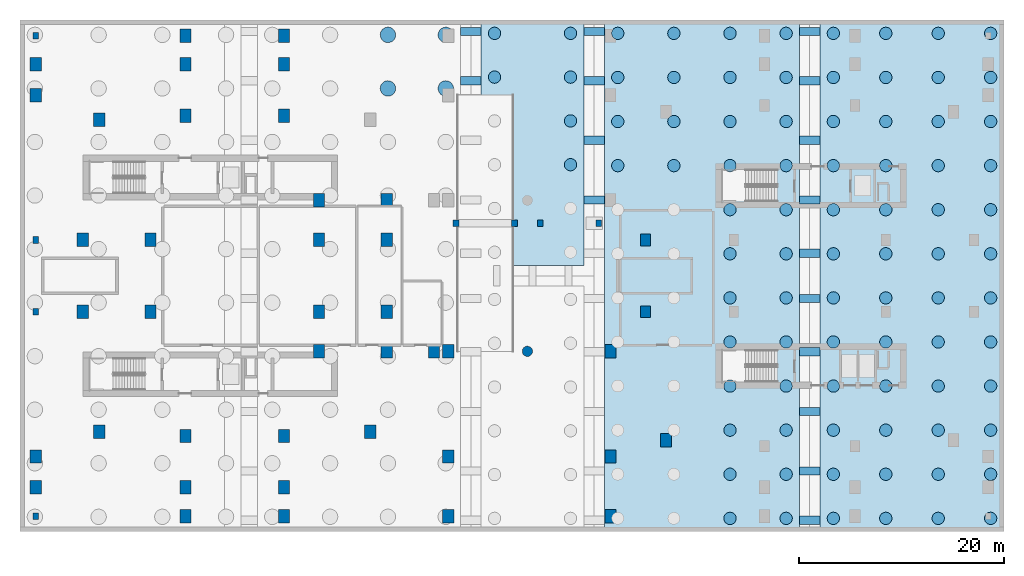
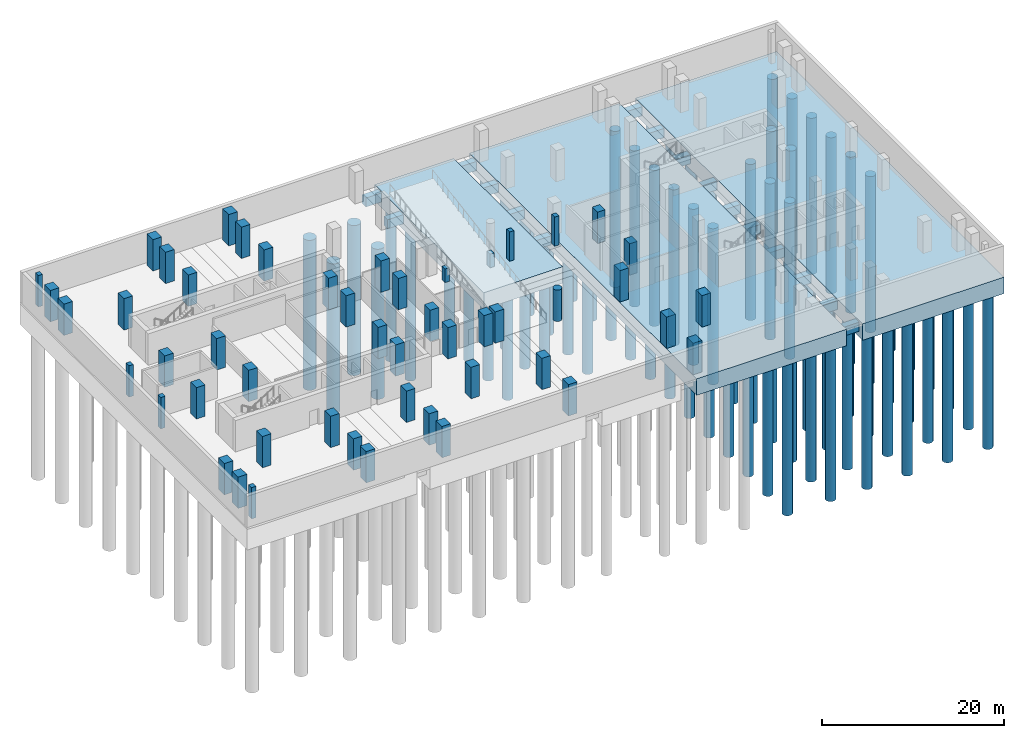
# One storey, part 2 of 14: 90 piles, 50 columns, 19 footings.
"""IFC4 building model written with IfcOpenShell, lengths in metres."""

import ifcopenshell
import ifcopenshell.guid

model = None  # the IFC model being written
_history = None  # IfcOwnerHistory: only IFC2X3 demands one
_inside = {}  # id of a spatial element -> (the spatial element, [elements in it])
_under = {}  # id of a project, library or spatial element -> (it, [spatial elements below it])
_declared = {}  # id of a project -> (the project, [libraries it declares])
_typed = {}  # id of a type object -> (the type object, [elements of that type])
_made_of = {}  # id of a material, layer set ... -> (it, [elements and type objects made of it])


def new_model(schema):
    """Start an empty IFC model of exactly this schema.

    Asked for "IFC4X3", IfcOpenShell would pick the latest addendum, in which some entities
    have other attributes; the version numbers below select the first issue.
    IFC2X3 requires an IfcOwnerHistory on every rooted entity: one is made here for all.
    """
    global model, _history
    if schema == "IFC4X3":
        model = ifcopenshell.file(schema_version=(4, 3, 0, 0))
    else:
        model = ifcopenshell.file(schema=schema)
    _inside.clear()
    _under.clear()
    _declared.clear()
    _typed.clear()
    _made_of.clear()
    _history = None
    if model.schema == "IFC2X3":
        org = make("IfcOrganization", Name="unknown")
        user = make(
            "IfcPersonAndOrganization",
            ThePerson=make("IfcPerson", FamilyName="unknown"),
            TheOrganization=org,
        )
        app = make(
            "IfcApplication",
            ApplicationDeveloper=org,
            Version="unknown",
            ApplicationFullName="unknown",
            ApplicationIdentifier="unknown",
        )
        _history = make(
            "IfcOwnerHistory",
            OwningUser=user,
            OwningApplication=app,
            ChangeAction="ADDED",
            CreationDate=0,
        )
    return model


def make(cls, **values):
    """One entity of the class cls with the attributes given. An attribute that is None is left unset."""
    return model.create_entity(
        cls, **{name: value for name, value in values.items() if value is not None}
    )


def rooted(cls, **values):
    """An entity with a GlobalId (a new one), such as an element, a storey or a relation."""
    return make(cls, GlobalId=ifcopenshell.guid.new(), OwnerHistory=_history, **values)


def si_unit(unit_type, name, prefix=None):
    """IfcSIUnit, for example si_unit("LENGTHUNIT", "METRE", prefix="MILLI")."""
    return make("IfcSIUnit", UnitType=unit_type, Prefix=prefix, Name=name)


def derived_unit(unit_type, elements):
    """IfcDerivedUnit: a product of units, each with its exponent."""
    return make(
        "IfcDerivedUnit",
        Elements=[
            make("IfcDerivedUnitElement", Unit=unit, Exponent=power)
            for unit, power in elements
        ],
        UnitType=unit_type,
    )


def assignment(units):
    """IfcUnitAssignment: the units of a project."""
    return None if units is None else make("IfcUnitAssignment", Units=units)


def point(xyz):
    """IfcCartesianPoint."""
    return None if xyz is None else make("IfcCartesianPoint", Coordinates=xyz)


def direction(xyz):
    """IfcDirection."""
    return None if xyz is None else make("IfcDirection", DirectionRatios=xyz)


def frame(location, z_axis=None, x_axis=None):
    """IfcAxis2Placement3D, a coordinate frame: its origin and axes. An axis left out is left unset."""
    return make(
        "IfcAxis2Placement3D",
        Location=point(location),
        Axis=direction(z_axis),
        RefDirection=direction(x_axis),
    )


def frame_2d(location, x_axis=None):
    """IfcAxis2Placement2D, a coordinate frame in the plane: its origin and x axis."""
    return make(
        "IfcAxis2Placement2D", Location=point(location), RefDirection=direction(x_axis)
    )


def origin():
    """The frame at (0, 0, 0) with its axes left unset."""
    return frame((0.0, 0.0, 0.0))


def origin_2d():
    """The frame at (0, 0) in the plane with its x axis left unset."""
    return frame_2d((0.0, 0.0))


def place(relative_to, where):
    """IfcLocalPlacement: puts the frame where relative to a parent placement (None: the world)."""
    return make(
        "IfcLocalPlacement", PlacementRelTo=relative_to, RelativePlacement=where
    )


def context(
    kind, dimensions, precision=None, world=None, true_north=None, identifier=None
):
    """IfcGeometricRepresentationContext, for example the 3D "Model" context."""
    return make(
        "IfcGeometricRepresentationContext",
        ContextIdentifier=identifier,
        ContextType=kind,
        CoordinateSpaceDimension=dimensions,
        Precision=precision,
        WorldCoordinateSystem=world,
        TrueNorth=true_north,
    )


def subcontext(parent, identifier, kind, view, scale=None):
    """IfcGeometricRepresentationSubContext, for example "Body" below "Model"."""
    return make(
        "IfcGeometricRepresentationSubContext",
        ContextIdentifier=identifier,
        ContextType=kind,
        ParentContext=parent,
        TargetScale=scale,
        TargetView=view,
    )


def project(units=None, contexts=None):
    """IfcProject with its units and contexts."""
    return rooted(
        "IfcProject",
        Name="project",
        RepresentationContexts=contexts,
        UnitsInContext=assignment(units),
    )


def spatial(cls, under=None, at=None, **own):
    """A site, building, storey or space (cls), placed at a placement, below another one or the project."""
    s = rooted(cls, ObjectPlacement=at, **own)
    if under is not None:
        _under.setdefault(under.id(), (under, []))[1].append(s)
    return s


def polyline(points):
    """IfcPolyline through the points."""
    return make("IfcPolyline", Points=[point(p) for p in points])


def profile(cls, at=None, kind="AREA", **sizes):
    """A parametric profile (cls). Its sizes go by their IFC names, for example OverallWidth=200.0."""
    return make(cls, ProfileType=kind, Position=at, **sizes)


def rectangle(**sizes):
    """IfcRectangleProfileDef."""
    return profile("IfcRectangleProfileDef", **sizes)


def circle(**sizes):
    """IfcCircleProfileDef."""
    return profile("IfcCircleProfileDef", **sizes)


def outline(outer, holes=None, kind="AREA"):
    """IfcArbitraryClosedProfileDef: a profile drawn as a closed curve; with holes, ...WithVoids."""
    if holes is None:
        return make("IfcArbitraryClosedProfileDef", ProfileType=kind, OuterCurve=outer)
    return make(
        "IfcArbitraryProfileDefWithVoids",
        ProfileType=kind,
        OuterCurve=outer,
        InnerCurves=holes,
    )


def extrude(swept, where, along, depth):
    """IfcExtrudedAreaSolid: the profile swept, set in the frame where, extruded along a direction by depth."""
    return make(
        "IfcExtrudedAreaSolid",
        SweptArea=swept,
        Position=where,
        ExtrudedDirection=direction(along),
        Depth=depth,
    )


def shape(context_of_items, identifier, shape_type, items):
    """IfcShapeRepresentation: the items that make up one representation, for example the "Body"."""
    return make(
        "IfcShapeRepresentation",
        ContextOfItems=context_of_items,
        RepresentationIdentifier=identifier,
        RepresentationType=shape_type,
        Items=items,
    )


def material(Name=None, Category=None):
    """IfcMaterial."""
    return make("IfcMaterial", Name=Name, Category=Category)


def material_profile(
    of_material, cross_section, Name=None, Category=None, Priority=None
):
    """IfcMaterialProfile: a cross section and its material."""
    return make(
        "IfcMaterialProfile",
        Name=Name,
        Material=of_material,
        Profile=cross_section,
        Priority=Priority,
        Category=Category,
    )


def profile_set(profiles, Name=None, composite=None):
    """IfcMaterialProfileSet."""
    return make(
        "IfcMaterialProfileSet",
        Name=Name,
        MaterialProfiles=profiles,
        CompositeProfile=composite,
    )


def made_of(thing, what):
    """Note that an element or type object is made of a material, layer set ...; save() writes the relation."""
    if what is not None:
        _made_of.setdefault(what.id(), (what, []))[1].append(thing)
    return thing


def type_object(cls, material=None, **own):
    """A type object (cls), such as IfcWallType, which elements share."""
    return made_of(rooted(cls, **own), material)


def element(
    cls,
    number,
    at=None,
    inside=None,
    cuts=None,
    type_object=None,
    material=None,
    context=None,
    identifier="Body",
    shape_type=None,
    held_by="IfcProductDefinitionShape",
    body=None,
    shapes=None,
    **own,
):
    """One element of the class cls, such as IfcWall. Its Tag is "e" and its number.

    at: its placement. inside: the storey or other place that contains it. cuts: it is an
    opening in that element (IfcRelVoidsElement). A single representation is given by context,
    identifier, shape_type and body (its items); several are given by shapes. held_by: the class
    of the entity that holds the representations. save() writes the other relations.
    """
    e = rooted(cls, Tag="e%d" % number, ObjectPlacement=at, **own)
    if body is not None:
        shapes = [shape(context, identifier, shape_type, body)]
    if shapes is not None:
        e.Representation = make(held_by, Representations=shapes)
    if inside is not None:
        _inside.setdefault(inside.id(), (inside, []))[1].append(e)
    if cuts is not None:
        rooted(
            "IfcRelVoidsElement", RelatingBuildingElement=cuts, RelatedOpeningElement=e
        )
    if type_object is not None:
        _typed.setdefault(type_object.id(), (type_object, []))[1].append(e)
    return made_of(e, material)


def aggregate(whole, parts):
    """IfcRelAggregates: a whole, such as a stair, and the parts it consists of."""
    return rooted("IfcRelAggregates", RelatingObject=whole, RelatedObjects=parts)


def save(model, path):
    """Write the relations noted so far, then the file.

    IfcRelAggregates (storeys below a building ...), IfcRelContainedInSpatialStructure (elements
    in a storey), IfcRelDefinesByType, IfcRelAssociatesMaterial and IfcRelDeclares: one each for
    every whole, place, type object, material and project.
    """
    for whole, parts in _under.values():
        aggregate(whole, parts)
    for where, things in _inside.values():
        rooted(
            "IfcRelContainedInSpatialStructure",
            RelatedElements=things,
            RelatingStructure=where,
        )
    for kind, things in _typed.values():
        rooted("IfcRelDefinesByType", RelatedObjects=things, RelatingType=kind)
    for what, things in _made_of.values():
        rooted("IfcRelAssociatesMaterial", RelatedObjects=things, RelatingMaterial=what)
    for by, libraries in _declared.values():
        rooted("IfcRelDeclares", RelatingContext=by, RelatedDefinitions=libraries)
    model.write(path)


model = new_model("IFC4")

# Units and contexts
model_context = context("Model", 3, precision=1e-05, world=origin(), true_north=direction((0.0, 1.0)))
body_context = subcontext(model_context, "Body", "Model", "MODEL_VIEW")
ifc_project = project(units=[si_unit("LENGTHUNIT", "METRE"), si_unit("AREAUNIT", "SQUARE_METRE"), si_unit("VOLUMEUNIT", "CUBIC_METRE"), si_unit("PLANEANGLEUNIT", "RADIAN"), si_unit("MASSUNIT", "GRAM", prefix="KILO"), derived_unit("THERMALTRANSMITTANCEUNIT", [(si_unit("POWERUNIT", "WATT"), 1), (si_unit("LENGTHUNIT", "METRE"), -2), (si_unit("THERMODYNAMICTEMPERATUREUNIT", "KELVIN"), -1)])], contexts=[model_context])

# Site, building, storey
site_placement = place(None, origin())
site = spatial("IfcSite", under=ifc_project, at=site_placement, CompositionType="ELEMENT")
building_placement = place(site_placement, origin())
building = spatial("IfcBuilding", under=site, at=building_placement, Name="Kivonza Crest Hotel", CompositionType="ELEMENT")
storey_placement = place(building_placement, frame((0.0, 0.0, -8.39990234375)))
storey = spatial("IfcBuildingStorey", under=building, at=storey_placement, Name="B2", CompositionType="ELEMENT", Elevation=-8.39990234375)

# Footings
ifc_material_1 = material(Name="Concrete C40/50", Category="concrete")
footing_type_1 = type_object("IfcFootingType", Name="FT-CAP-2200", PredefinedType="PILE_CAP", material=ifc_material_1)
footing_1_placement = place(storey_placement, frame((0.0, 0.0, -2.2001953125)))
element("IfcFooting", 1, at=footing_1_placement, inside=storey, type_object=footing_type_1, Name="Podium North combined pile cap zone", PredefinedType="PILE_CAP", context=body_context, shape_type="SweptSolid", body=[
    extrude(outline(polyline([(45.0, 26.0), (55.0, 26.0), (55.0, 49.919921875), (45.0, 49.919921875), (45.0, 26.0)])), origin(), (0.0, 0.0, 1.0), 2.2001953125),
])
footing_type_2 = type_object("IfcFootingType", Name="FT-GB-800x1200", PredefinedType="FOOTING_BEAM", material=ifc_material_1)
footing_2_placement = place(storey_placement, frame((0.0, 0.0, -1.400146484375)))
element("IfcFooting", 2, at=footing_2_placement, inside=storey, type_object=footing_type_2, Name="Foundation ground tie beam GB-EW-19", PredefinedType="FOOTING_BEAM", context=body_context, shape_type="SweptSolid", body=[
    extrude(outline(polyline([(43.0, 43.60009765625), (45.0, 43.60009765625), (45.0, 44.39990234375), (43.0, 44.39990234375), (43.0, 43.60009765625)])), origin(), (0.0, 0.0, 1.0), 1.199951171875),
])
footing_3_placement = place(storey_placement, frame((0.0, 0.0, -1.400146484375)))
element("IfcFooting", 3, at=footing_3_placement, inside=storey, type_object=footing_type_2, Name="Foundation ground tie beam GB-EW-20", PredefinedType="FOOTING_BEAM", context=body_context, shape_type="SweptSolid", body=[
    extrude(outline(polyline([(43.0, 48.39990234375), (45.0, 48.39990234375), (45.0, 49.199951171875), (43.0, 49.199951171875), (43.0, 48.39990234375)])), origin(), (0.0, 0.0, 1.0), 1.199951171875),
])
footing_4_placement = place(storey_placement, frame((0.0, 0.0, -1.400146484375)))
element("IfcFooting", 4, at=footing_4_placement, inside=storey, type_object=footing_type_2, Name="Foundation ground tie beam GB-EW-27", PredefinedType="FOOTING_BEAM", context=body_context, shape_type="SweptSolid", body=[
    extrude(outline(polyline([(55.0, 32.0), (57.0, 32.0), (57.0, 32.800048828125), (55.0, 32.800048828125), (55.0, 32.0)])), origin(), (0.0, 0.0, 1.0), 1.199951171875),
])
footing_5_placement = place(storey_placement, frame((0.0, 0.0, -1.400146484375)))
element("IfcFooting", 5, at=footing_5_placement, inside=storey, type_object=footing_type_2, Name="Foundation ground tie beam GB-EW-28", PredefinedType="FOOTING_BEAM", context=body_context, shape_type="SweptSolid", body=[
    extrude(outline(polyline([(55.0, 37.800048828125), (57.0, 37.800048828125), (57.0, 38.60009765625), (55.0, 38.60009765625), (55.0, 37.800048828125)])), origin(), (0.0, 0.0, 1.0), 1.199951171875),
])
footing_6_placement = place(storey_placement, frame((0.0, 0.0, -1.400146484375)))
element("IfcFooting", 6, at=footing_6_placement, inside=storey, type_object=footing_type_2, Name="Foundation ground tie beam GB-EW-29", PredefinedType="FOOTING_BEAM", context=body_context, shape_type="SweptSolid", body=[
    extrude(outline(polyline([(55.0, 43.60009765625), (57.0, 43.60009765625), (57.0, 44.39990234375), (55.0, 44.39990234375), (55.0, 43.60009765625)])), origin(), (0.0, 0.0, 1.0), 1.199951171875),
])
footing_7_placement = place(storey_placement, frame((0.0, 0.0, -1.400146484375)))
element("IfcFooting", 7, at=footing_7_placement, inside=storey, type_object=footing_type_2, Name="Foundation ground tie beam GB-EW-30", PredefinedType="FOOTING_BEAM", context=body_context, shape_type="SweptSolid", body=[
    extrude(outline(polyline([(55.0, 48.39990234375), (57.0, 48.39990234375), (57.0, 49.199951171875), (55.0, 49.199951171875), (55.0, 48.39990234375)])), origin(), (0.0, 0.0, 1.0), 1.199951171875),
])
footing_8_placement = place(storey_placement, frame((0.0, 0.0, -1.400146484375)))
element("IfcFooting", 8, at=footing_8_placement, inside=storey, type_object=footing_type_2, Name="Foundation ground tie beam GB-EW-31", PredefinedType="FOOTING_BEAM", context=body_context, shape_type="SweptSolid", body=[
    extrude(outline(polyline([(76.0, 0.800048828125), (78.0, 0.800048828125), (78.0, 1.60009765625), (76.0, 1.60009765625), (76.0, 0.800048828125)])), origin(), (0.0, 0.0, 1.0), 1.199951171875),
])
footing_9_placement = place(storey_placement, frame((0.0, 0.0, -1.400146484375)))
element("IfcFooting", 9, at=footing_9_placement, inside=storey, type_object=footing_type_2, Name="Foundation ground tie beam GB-EW-32", PredefinedType="FOOTING_BEAM", context=body_context, shape_type="SweptSolid", body=[
    extrude(outline(polyline([(76.0, 5.60009765625), (78.0, 5.60009765625), (78.0, 6.39990234375), (76.0, 6.39990234375), (76.0, 5.60009765625)])), origin(), (0.0, 0.0, 1.0), 1.199951171875),
])
footing_10_placement = place(storey_placement, frame((0.0, 0.0, -1.400146484375)))
element("IfcFooting", 10, at=footing_10_placement, inside=storey, type_object=footing_type_2, Name="Foundation ground tie beam GB-EW-33", PredefinedType="FOOTING_BEAM", context=body_context, shape_type="SweptSolid", body=[
    extrude(outline(polyline([(76.0, 11.39990234375), (78.0, 11.39990234375), (78.0, 12.199951171875), (76.0, 12.199951171875), (76.0, 11.39990234375)])), origin(), (0.0, 0.0, 1.0), 1.199951171875),
])
footing_11_placement = place(storey_placement, frame((0.0, 0.0, -1.400146484375)))
element("IfcFooting", 11, at=footing_11_placement, inside=storey, type_object=footing_type_2, Name="Foundation ground tie beam GB-EW-34", PredefinedType="FOOTING_BEAM", context=body_context, shape_type="SweptSolid", body=[
    extrude(outline(polyline([(76.0, 17.199951171875), (78.0, 17.199951171875), (78.0, 18.0), (76.0, 18.0), (76.0, 17.199951171875)])), origin(), (0.0, 0.0, 1.0), 1.199951171875),
])
footing_12_placement = place(storey_placement, frame((0.0, 0.0, -1.400146484375)))
element("IfcFooting", 12, at=footing_12_placement, inside=storey, type_object=footing_type_2, Name="Foundation ground tie beam GB-EW-35", PredefinedType="FOOTING_BEAM", context=body_context, shape_type="SweptSolid", body=[
    extrude(outline(polyline([(76.0, 22.39990234375), (78.0, 22.39990234375), (78.0, 23.199951171875), (76.0, 23.199951171875), (76.0, 22.39990234375)])), origin(), (0.0, 0.0, 1.0), 1.199951171875),
])
footing_13_placement = place(storey_placement, frame((0.0, 0.0, -1.400146484375)))
element("IfcFooting", 13, at=footing_13_placement, inside=storey, type_object=footing_type_2, Name="Foundation ground tie beam GB-EW-36", PredefinedType="FOOTING_BEAM", context=body_context, shape_type="SweptSolid", body=[
    extrude(outline(polyline([(76.0, 26.800048828125), (78.0, 26.800048828125), (78.0, 27.60009765625), (76.0, 27.60009765625), (76.0, 26.800048828125)])), origin(), (0.0, 0.0, 1.0), 1.199951171875),
])
footing_14_placement = place(storey_placement, frame((0.0, 0.0, -1.400146484375)))
element("IfcFooting", 14, at=footing_14_placement, inside=storey, type_object=footing_type_2, Name="Foundation ground tie beam GB-EW-37", PredefinedType="FOOTING_BEAM", context=body_context, shape_type="SweptSolid", body=[
    extrude(outline(polyline([(76.0, 32.0), (78.0, 32.0), (78.0, 32.800048828125), (76.0, 32.800048828125), (76.0, 32.0)])), origin(), (0.0, 0.0, 1.0), 1.199951171875),
])
footing_15_placement = place(storey_placement, frame((0.0, 0.0, -1.400146484375)))
element("IfcFooting", 15, at=footing_15_placement, inside=storey, type_object=footing_type_2, Name="Foundation ground tie beam GB-EW-38", PredefinedType="FOOTING_BEAM", context=body_context, shape_type="SweptSolid", body=[
    extrude(outline(polyline([(76.0, 37.800048828125), (78.0, 37.800048828125), (78.0, 38.60009765625), (76.0, 38.60009765625), (76.0, 37.800048828125)])), origin(), (0.0, 0.0, 1.0), 1.199951171875),
])
footing_16_placement = place(storey_placement, frame((0.0, 0.0, -1.400146484375)))
element("IfcFooting", 16, at=footing_16_placement, inside=storey, type_object=footing_type_2, Name="Foundation ground tie beam GB-EW-39", PredefinedType="FOOTING_BEAM", context=body_context, shape_type="SweptSolid", body=[
    extrude(outline(polyline([(76.0, 43.60009765625), (78.0, 43.60009765625), (78.0, 44.39990234375), (76.0, 44.39990234375), (76.0, 43.60009765625)])), origin(), (0.0, 0.0, 1.0), 1.199951171875),
])
footing_17_placement = place(storey_placement, frame((0.0, 0.0, -1.400146484375)))
element("IfcFooting", 17, at=footing_17_placement, inside=storey, type_object=footing_type_2, Name="Foundation ground tie beam GB-EW-40", PredefinedType="FOOTING_BEAM", context=body_context, shape_type="SweptSolid", body=[
    extrude(outline(polyline([(76.0, 48.39990234375), (78.0, 48.39990234375), (78.0, 49.199951171875), (76.0, 49.199951171875), (76.0, 48.39990234375)])), origin(), (0.0, 0.0, 1.0), 1.199951171875),
])
footing_type_3 = type_object("IfcFootingType", Name="FT-RAFT-2200", PredefinedType="PILE_CAP", material=ifc_material_1)
footing_18_placement = place(storey_placement, frame((0.0, 0.0, -2.2001953125)))
element("IfcFooting", 18, at=footing_18_placement, inside=storey, type_object=footing_type_3, Name="T2 West piled raft foundation zone", PredefinedType="PILE_CAP", context=body_context, shape_type="SweptSolid", body=[
    extrude(outline(polyline([(57.0, 0.080078125), (76.0, 0.080078125), (76.0, 49.919921875), (57.0, 49.919921875), (57.0, 0.080078125)])), origin(), (0.0, 0.0, 1.0), 2.2001953125),
])
footing_19_placement = place(storey_placement, frame((0.0, 0.0, -2.2001953125)))
element("IfcFooting", 19, at=footing_19_placement, inside=storey, type_object=footing_type_3, Name="T2 East piled raft foundation zone", PredefinedType="PILE_CAP", context=body_context, shape_type="SweptSolid", body=[
    extrude(outline(polyline([(78.0, 0.080078125), (95.919921875, 0.080078125), (95.919921875, 49.919921875), (78.0, 49.919921875), (78.0, 0.080078125)])), origin(), (0.0, 0.0, 1.0), 2.2001953125),
])

# Piles
ifc_material_profile_1 = material_profile(ifc_material_1, circle(Radius=0.60009765625, at=origin_2d()), Name="PILE D1200")
ifc_profile_set_1 = profile_set([ifc_material_profile_1], Name="Concrete C40/50")
pile_type_1 = type_object("IfcPileType", Name="PL-BORED-1200", PredefinedType="BORED", material=ifc_profile_set_1)
for number, where, z_axis, x_axis, name in (
    (20, (46.300048828125, 44.35595703125, -2.10009765625), (0.0, 0.0, -1.0), (1.0, 0.0, 0.0), "Bored pile PL-MIDN-005 under FT-B2-MIDN"),
    (21, (46.300048828125, 48.6201171875, -2.10009765625), (0.0, 0.0, -1.0), (1.0, 0.0, 0.0), "Bored pile PL-MIDN-006 under FT-B2-MIDN"),
    (22, (53.699951171875, 35.827880859375, -2.10009765625), (0.0, 0.0, -1.0), (1.0, 0.0, 0.0), "Bored pile PL-MIDN-009 under FT-B2-MIDN"),
    (23, (53.699951171875, 40.092041015625, -2.10009765625), (0.0, 0.0, -1.0), (1.0, 0.0, 0.0), "Bored pile PL-MIDN-010 under FT-B2-MIDN"),
    (24, (53.699951171875, 44.35595703125, -2.10009765625), (0.0, 0.0, -1.0), (1.0, 0.0, 0.0), "Bored pile PL-MIDN-011 under FT-B2-MIDN"),
    (25, (53.699951171875, 48.6201171875, -2.10009765625), (0.0, 0.0, -1.0), (1.0, 0.0, 0.0), "Bored pile PL-MIDN-012 under FT-B2-MIDN"),
    (26, (58.300048828125, 35.736083984375, -2.10009765625), (0.0, 0.0, -1.0), (1.0, 0.0, 0.0), "Bored pile PL-T2W-009 under FT-B2-T2W"),
    (27, (58.300048828125, 40.031005859375, -2.10009765625), (0.0, 0.0, -1.0), (1.0, 0.0, 0.0), "Bored pile PL-T2W-010 under FT-B2-T2W"),
    (28, (58.300048828125, 44.324951171875, -2.10009765625), (0.0, 0.0, -1.0), (1.0, 0.0, 0.0), "Bored pile PL-T2W-011 under FT-B2-T2W"),
    (29, (58.300048828125, 48.6201171875, -2.10009765625), (0.0, 0.0, -1.0), (1.0, 0.0, 0.0), "Bored pile PL-T2W-012 under FT-B2-T2W"),
    (30, (63.76708984375, 35.736083984375, -2.10009765625), (0.0, 0.0, -1.0), (1.0, 0.0, 0.0), "Bored pile PL-T2W-021 under FT-B2-T2W"),
    (31, (63.76708984375, 40.031005859375, -2.10009765625), (0.0, 0.0, -1.0), (1.0, 0.0, 0.0), "Bored pile PL-T2W-022 under FT-B2-T2W"),
    (32, (63.76708984375, 44.324951171875, -2.10009765625), (0.0, 0.0, -1.0), (1.0, 0.0, 0.0), "Bored pile PL-T2W-023 under FT-B2-T2W"),
    (33, (63.76708984375, 48.6201171875, -2.10009765625), (0.0, 0.0, -1.0), (1.0, 0.0, 0.0), "Bored pile PL-T2W-024 under FT-B2-T2W"),
    (34, (69.23291015625, 1.3798828125, -2.10009765625), (0.0, 0.0, -1.0), (1.0, 0.0, 0.0), "Bored pile PL-T2W-025 under FT-B2-T2W"),
    (35, (69.23291015625, 5.675048828125, -2.10009765625), (0.0, 0.0, -1.0), (1.0, 0.0, 0.0), "Bored pile PL-T2W-026 under FT-B2-T2W"),
    (36, (69.23291015625, 9.968994140625, -2.10009765625), (0.0, 0.0, -1.0), (1.0, 0.0, 0.0), "Bored pile PL-T2W-027 under FT-B2-T2W"),
    (37, (69.23291015625, 14.263916015625, -2.10009765625), (0.0, 0.0, -1.0), (1.0, 0.0, 0.0), "Bored pile PL-T2W-028 under FT-B2-T2W"),
    (38, (69.23291015625, 18.55810546875, -2.10009765625), (0.0, 0.0, -1.0), (1.0, 0.0, 0.0), "Bored pile PL-T2W-029 under FT-B2-T2W"),
    (39, (69.23291015625, 22.85302734375, -2.10009765625), (0.0, 0.0, -1.0), (1.0, 0.0, 0.0), "Bored pile PL-T2W-030 under FT-B2-T2W"),
    (40, (69.23291015625, 27.14697265625, -2.10009765625), (0.0, 0.0, -1.0), (1.0, 0.0, 0.0), "Bored pile PL-T2W-031 under FT-B2-T2W"),
    (41, (69.23291015625, 31.44189453125, -2.10009765625), (0.0, 0.0, -1.0), (1.0, 0.0, 0.0), "Bored pile PL-T2W-032 under FT-B2-T2W"),
    (42, (69.23291015625, 35.736083984375, -2.10009765625), (0.0, 0.0, -1.0), (1.0, 0.0, 0.0), "Bored pile PL-T2W-033 under FT-B2-T2W"),
    (43, (69.23291015625, 40.031005859375, -2.10009765625), (0.0, 0.0, -1.0), (1.0, 0.0, 0.0), "Bored pile PL-T2W-034 under FT-B2-T2W"),
    (44, (69.23291015625, 44.324951171875, -2.10009765625), (0.0, 0.0, -1.0), (1.0, 0.0, 0.0), "Bored pile PL-T2W-035 under FT-B2-T2W"),
    (45, (69.23291015625, 48.6201171875, -2.10009765625), (0.0, 0.0, -1.0), (1.0, 0.0, 0.0), "Bored pile PL-T2W-036 under FT-B2-T2W"),
    (46, (74.699951171875, 1.3798828125, -2.10009765625), (0.0, 0.0, -1.0), (1.0, 0.0, 0.0), "Bored pile PL-T2W-037 under FT-B2-T2W"),
    (47, (74.699951171875, 5.675048828125, -2.10009765625), (0.0, 0.0, -1.0), (1.0, 0.0, 0.0), "Bored pile PL-T2W-038 under FT-B2-T2W"),
    (48, (74.699951171875, 9.968994140625, -2.10009765625), (0.0, 0.0, -1.0), (1.0, 0.0, 0.0), "Bored pile PL-T2W-039 under FT-B2-T2W"),
    (49, (74.699951171875, 14.263916015625, -2.10009765625), (0.0, 0.0, -1.0), (1.0, 0.0, 0.0), "Bored pile PL-T2W-040 under FT-B2-T2W"),
    (50, (74.699951171875, 18.55810546875, -2.10009765625), (0.0, 0.0, -1.0), (1.0, 0.0, 0.0), "Bored pile PL-T2W-041 under FT-B2-T2W"),
    (51, (74.699951171875, 22.85302734375, -2.10009765625), (0.0, 0.0, -1.0), (1.0, 0.0, 0.0), "Bored pile PL-T2W-042 under FT-B2-T2W"),
    (52, (74.699951171875, 27.14697265625, -2.10009765625), (0.0, 0.0, -1.0), (1.0, 0.0, 0.0), "Bored pile PL-T2W-043 under FT-B2-T2W"),
    (53, (74.699951171875, 31.44189453125, -2.10009765625), (0.0, 0.0, -1.0), (1.0, 0.0, 0.0), "Bored pile PL-T2W-044 under FT-B2-T2W"),
    (54, (74.699951171875, 35.736083984375, -2.10009765625), (0.0, 0.0, -1.0), (1.0, 0.0, 0.0), "Bored pile PL-T2W-045 under FT-B2-T2W"),
    (55, (74.699951171875, 40.031005859375, -2.10009765625), (0.0, 0.0, -1.0), (1.0, 0.0, 0.0), "Bored pile PL-T2W-046 under FT-B2-T2W"),
    (56, (74.699951171875, 44.324951171875, -2.10009765625), (0.0, 0.0, -1.0), (1.0, 0.0, 0.0), "Bored pile PL-T2W-047 under FT-B2-T2W"),
    (57, (74.699951171875, 48.6201171875, -2.10009765625), (0.0, 0.0, -1.0), (1.0, 0.0, 0.0), "Bored pile PL-T2W-048 under FT-B2-T2W"),
    (58, (79.300048828125, 1.3798828125, -2.10009765625), (0.0, 0.0, -1.0), (1.0, 0.0, 0.0), "Bored pile PL-T2E-001 under FT-B2-T2E"),
    (59, (79.300048828125, 5.675048828125, -2.10009765625), (0.0, 0.0, -1.0), (1.0, 0.0, 0.0), "Bored pile PL-T2E-002 under FT-B2-T2E"),
    (60, (79.300048828125, 9.968994140625, -2.10009765625), (0.0, 0.0, -1.0), (1.0, 0.0, 0.0), "Bored pile PL-T2E-003 under FT-B2-T2E"),
    (61, (79.300048828125, 14.263916015625, -2.10009765625), (0.0, 0.0, -1.0), (1.0, 0.0, 0.0), "Bored pile PL-T2E-004 under FT-B2-T2E"),
    (62, (79.300048828125, 18.55810546875, -2.10009765625), (0.0, 0.0, -1.0), (1.0, 0.0, 0.0), "Bored pile PL-T2E-005 under FT-B2-T2E"),
    (63, (79.300048828125, 22.85302734375, -2.10009765625), (0.0, 0.0, -1.0), (1.0, 0.0, 0.0), "Bored pile PL-T2E-006 under FT-B2-T2E"),
    (64, (79.300048828125, 27.14697265625, -2.10009765625), (0.0, 0.0, -1.0), (1.0, 0.0, 0.0), "Bored pile PL-T2E-007 under FT-B2-T2E"),
    (65, (79.300048828125, 31.44189453125, -2.10009765625), (0.0, 0.0, -1.0), (1.0, 0.0, 0.0), "Bored pile PL-T2E-008 under FT-B2-T2E"),
    (66, (79.300048828125, 35.736083984375, -2.10009765625), (0.0, 0.0, -1.0), (1.0, 0.0, 0.0), "Bored pile PL-T2E-009 under FT-B2-T2E"),
    (67, (79.300048828125, 40.031005859375, -2.10009765625), (0.0, 0.0, -1.0), (1.0, 0.0, 0.0), "Bored pile PL-T2E-010 under FT-B2-T2E"),
    (68, (79.300048828125, 44.324951171875, -2.10009765625), (0.0, 0.0, -1.0), (1.0, 0.0, 0.0), "Bored pile PL-T2E-011 under FT-B2-T2E"),
    (69, (79.300048828125, 48.6201171875, -2.10009765625), (0.0, 0.0, -1.0), (1.0, 0.0, 0.0), "Bored pile PL-T2E-012 under FT-B2-T2E"),
    (70, (84.406982421875, 1.3798828125, -2.10009765625), (0.0, 0.0, -1.0), (1.0, 0.0, 0.0), "Bored pile PL-T2E-013 under FT-B2-T2E"),
    (71, (84.406982421875, 5.675048828125, -2.10009765625), (0.0, 0.0, -1.0), (1.0, 0.0, 0.0), "Bored pile PL-T2E-014 under FT-B2-T2E"),
    (72, (84.406982421875, 9.968994140625, -2.10009765625), (0.0, 0.0, -1.0), (1.0, 0.0, 0.0), "Bored pile PL-T2E-015 under FT-B2-T2E"),
    (73, (84.406982421875, 14.263916015625, -2.10009765625), (0.0, 0.0, -1.0), (1.0, 0.0, 0.0), "Bored pile PL-T2E-016 under FT-B2-T2E"),
    (74, (84.406982421875, 18.55810546875, -2.10009765625), (0.0, 0.0, -1.0), (1.0, 0.0, 0.0), "Bored pile PL-T2E-017 under FT-B2-T2E"),
    (75, (84.406982421875, 22.85302734375, -2.10009765625), (0.0, 0.0, -1.0), (1.0, 0.0, 0.0), "Bored pile PL-T2E-018 under FT-B2-T2E"),
    (76, (84.406982421875, 27.14697265625, -2.10009765625), (0.0, 0.0, -1.0), (1.0, 0.0, 0.0), "Bored pile PL-T2E-019 under FT-B2-T2E"),
    (77, (84.406982421875, 31.44189453125, -2.10009765625), (0.0, 0.0, -1.0), (1.0, 0.0, 0.0), "Bored pile PL-T2E-020 under FT-B2-T2E"),
    (78, (84.406982421875, 35.736083984375, -2.10009765625), (0.0, 0.0, -1.0), (1.0, 0.0, 0.0), "Bored pile PL-T2E-021 under FT-B2-T2E"),
    (79, (84.406982421875, 40.031005859375, -2.10009765625), (0.0, 0.0, -1.0), (1.0, 0.0, 0.0), "Bored pile PL-T2E-022 under FT-B2-T2E"),
    (80, (84.406982421875, 44.324951171875, -2.10009765625), (0.0, 0.0, -1.0), (1.0, 0.0, 0.0), "Bored pile PL-T2E-023 under FT-B2-T2E"),
    (81, (84.406982421875, 48.6201171875, -2.10009765625), (0.0, 0.0, -1.0), (1.0, 0.0, 0.0), "Bored pile PL-T2E-024 under FT-B2-T2E"),
    (82, (89.512939453125, 1.3798828125, -2.10009765625), (0.0, 0.0, -1.0), (1.0, 0.0, 0.0), "Bored pile PL-T2E-025 under FT-B2-T2E"),
    (83, (89.512939453125, 5.675048828125, -2.10009765625), (0.0, 0.0, -1.0), (1.0, 0.0, 0.0), "Bored pile PL-T2E-026 under FT-B2-T2E"),
    (84, (89.512939453125, 9.968994140625, -2.10009765625), (0.0, 0.0, -1.0), (1.0, 0.0, 0.0), "Bored pile PL-T2E-027 under FT-B2-T2E"),
    (85, (89.512939453125, 14.263916015625, -2.10009765625), (0.0, 0.0, -1.0), (1.0, 0.0, 0.0), "Bored pile PL-T2E-028 under FT-B2-T2E"),
    (86, (89.512939453125, 18.55810546875, -2.10009765625), (0.0, 0.0, -1.0), (1.0, 0.0, 0.0), "Bored pile PL-T2E-029 under FT-B2-T2E"),
    (87, (89.512939453125, 22.85302734375, -2.10009765625), (0.0, 0.0, -1.0), (1.0, 0.0, 0.0), "Bored pile PL-T2E-030 under FT-B2-T2E"),
    (88, (89.512939453125, 27.14697265625, -2.10009765625), (0.0, 0.0, -1.0), (1.0, 0.0, 0.0), "Bored pile PL-T2E-031 under FT-B2-T2E"),
    (89, (89.512939453125, 31.44189453125, -2.10009765625), (0.0, 0.0, -1.0), (1.0, 0.0, 0.0), "Bored pile PL-T2E-032 under FT-B2-T2E"),
    (90, (89.512939453125, 35.736083984375, -2.10009765625), (0.0, 0.0, -1.0), (1.0, 0.0, 0.0), "Bored pile PL-T2E-033 under FT-B2-T2E"),
    (91, (89.512939453125, 40.031005859375, -2.10009765625), (0.0, 0.0, -1.0), (1.0, 0.0, 0.0), "Bored pile PL-T2E-034 under FT-B2-T2E"),
    (92, (89.512939453125, 44.324951171875, -2.10009765625), (0.0, 0.0, -1.0), (1.0, 0.0, 0.0), "Bored pile PL-T2E-035 under FT-B2-T2E"),
    (93, (89.512939453125, 48.6201171875, -2.10009765625), (0.0, 0.0, -1.0), (1.0, 0.0, 0.0), "Bored pile PL-T2E-036 under FT-B2-T2E"),
    (94, (94.6201171875, 1.3798828125, -2.10009765625), (0.0, 0.0, -1.0), (1.0, 0.0, 0.0), "Bored pile PL-T2E-037 under FT-B2-T2E"),
    (95, (94.6201171875, 5.675048828125, -2.10009765625), (0.0, 0.0, -1.0), (1.0, 0.0, 0.0), "Bored pile PL-T2E-038 under FT-B2-T2E"),
    (96, (94.6201171875, 9.968994140625, -2.10009765625), (0.0, 0.0, -1.0), (1.0, 0.0, 0.0), "Bored pile PL-T2E-039 under FT-B2-T2E"),
    (97, (94.6201171875, 14.263916015625, -2.10009765625), (0.0, 0.0, -1.0), (1.0, 0.0, 0.0), "Bored pile PL-T2E-040 under FT-B2-T2E"),
    (98, (94.6201171875, 18.55810546875, -2.10009765625), (0.0, 0.0, -1.0), (1.0, 0.0, 0.0), "Bored pile PL-T2E-041 under FT-B2-T2E"),
    (99, (94.6201171875, 22.85302734375, -2.10009765625), (0.0, 0.0, -1.0), (1.0, 0.0, 0.0), "Bored pile PL-T2E-042 under FT-B2-T2E"),
    (100, (94.6201171875, 27.14697265625, -2.10009765625), (0.0, 0.0, -1.0), (1.0, 0.0, 0.0), "Bored pile PL-T2E-043 under FT-B2-T2E"),
    (101, (94.6201171875, 31.44189453125, -2.10009765625), (0.0, 0.0, -1.0), (1.0, 0.0, 0.0), "Bored pile PL-T2E-044 under FT-B2-T2E"),
    (102, (94.6201171875, 35.736083984375, -2.10009765625), (0.0, 0.0, -1.0), (1.0, 0.0, 0.0), "Bored pile PL-T2E-045 under FT-B2-T2E"),
    (103, (94.6201171875, 40.031005859375, -2.10009765625), (0.0, 0.0, -1.0), (1.0, 0.0, 0.0), "Bored pile PL-T2E-046 under FT-B2-T2E"),
    (104, (94.6201171875, 44.324951171875, -2.10009765625), (0.0, 0.0, -1.0), (1.0, 0.0, 0.0), "Bored pile PL-T2E-047 under FT-B2-T2E"),
    (105, (94.6201171875, 48.6201171875, -2.10009765625), (0.0, 0.0, -1.0), (1.0, 0.0, 0.0), "Bored pile PL-T2E-048 under FT-B2-T2E"),
):
    element("IfcPile", number, at=place(storey_placement, frame(where, z_axis=z_axis, x_axis=x_axis)), inside=storey, type_object=pile_type_1, Name=name, PredefinedType="BORED", context=body_context, shape_type="SweptSolid", body=[
        extrude(circle(Radius=0.60009765625, at=origin_2d()), origin(), (0.0, 0.0, 1.0), 20.89990234375),
    ])
ifc_material_profile_2 = material_profile(ifc_material_1, circle(Radius=0.75, at=origin_2d()), Name="PILE D1500")
ifc_profile_set_2 = profile_set([ifc_material_profile_2], Name="Concrete C40/50")
pile_type_2 = type_object("IfcPileType", Name="PL-BORED-1500", PredefinedType="BORED", material=ifc_profile_set_2)
for number, where, z_axis, x_axis, name in (
    (106, (35.9169921875, 43.25390625, -2.900146484375), (0.0, 0.0, -1.0), (1.0, 0.0, 0.0), "Bored pile PL-T1E-029 under FT-B2-T1E"),
    (107, (35.9169921875, 48.469970703125, -2.900146484375), (0.0, 0.0, -1.0), (1.0, 0.0, 0.0), "Bored pile PL-T1E-030 under FT-B2-T1E"),
    (108, (41.550048828125, 43.25390625, -2.900146484375), (0.0, 0.0, -1.0), (1.0, 0.0, 0.0), "Bored pile PL-T1E-039 under FT-B2-T1E"),
    (109, (41.550048828125, 48.469970703125, -2.900146484375), (0.0, 0.0, -1.0), (1.0, 0.0, 0.0), "Bored pile PL-T1E-040 under FT-B2-T1E"),
):
    element("IfcPile", number, at=place(storey_placement, frame(where, z_axis=z_axis, x_axis=x_axis)), inside=storey, type_object=pile_type_2, Name=name, PredefinedType="BORED", context=body_context, shape_type="SweptSolid", body=[
        extrude(circle(Radius=0.75, at=origin_2d()), origin(), (0.0, 0.0, 1.0), 20.10009765625),
    ])

# Columns
ifc_material_2 = material(Name="Concrete C60/75", Category="concrete")
ifc_material_profile_3 = material_profile(ifc_material_2, rectangle(XDim=0.550048828125, YDim=0.64990234375, at=origin_2d()), Name="RC 650x550")
ifc_profile_set_3 = profile_set([ifc_material_profile_3], Name="Concrete C60/75")
column_type_1 = type_object("IfcColumnType", Name="CL-PIL-650x550", PredefinedType="PILASTER", material=ifc_profile_set_3)
for number, where, z_axis, x_axis, name in (
    (110, (1.60009765625, 21.5, 0.0), (0.0, 0.0, 1.0), (1.0, 0.0, 0.0), "Tower T1 B2 column Z1W1"),
    (111, (1.60009765625, 28.5, 0.0), (0.0, 0.0, 1.0), (1.0, 0.0, 0.0), "Tower T1 B2 column Z1W2"),
    (112, (1.60009765625, 1.60009765625, 0.0), (0.0, 0.0, 1.0), (1.0, 0.0, 0.0), "Podium B2 column PS01"),
    (113, (1.60009765625, 48.39990234375, 0.0), (0.0, 0.0, 1.0), (1.0, 0.0, 0.0), "Podium B2 column PN01"),
):
    element("IfcColumn", number, at=place(storey_placement, frame(where, z_axis=z_axis, x_axis=x_axis)), inside=storey, type_object=column_type_1, Name=name, PredefinedType="PILASTER", context=body_context, shape_type="SweptSolid", body=[
        extrude(rectangle(XDim=0.550048828125, YDim=0.64990234375, at=origin_2d()), origin(), (0.0, 0.0, 1.0), 4.199951171875),
    ])
for number, where, z_axis, x_axis, name in (
    (114, (42.550048828125, 30.125, 0.0), (0.0, 0.0, 1.0), (1.0, 0.0, 0.0), "B2 vehicle ramp midspan support pier W1"),
    (115, (48.25, 30.125, 0.0), (0.0, 0.0, 1.0), (1.0, 0.0, 0.0), "B2 vehicle ramp midspan support pier E1"),
):
    element("IfcColumn", number, at=place(storey_placement, frame(where, z_axis=z_axis, x_axis=x_axis)), inside=storey, type_object=column_type_1, Name=name, PredefinedType="PILASTER", context=body_context, shape_type="SweptSolid", body=[
        extrude(rectangle(XDim=0.550048828125, YDim=0.64990234375, at=origin_2d()), origin(), (0.0, 0.0, 1.0), 1.81982421875),
    ])
for number, where, z_axis, x_axis, name in (
    (116, (50.75, 30.125, 0.0), (0.0, 0.0, 1.0), (1.0, 0.0, 0.0), "B2 vehicle ramp midspan support pier W2"),
    (117, (56.449951171875, 30.125, 0.0), (0.0, 0.0, 1.0), (1.0, 0.0, 0.0), "B2 vehicle ramp midspan support pier E2"),
):
    element("IfcColumn", number, at=place(storey_placement, frame(where, z_axis=z_axis, x_axis=x_axis)), inside=storey, type_object=column_type_1, Name=name, PredefinedType="PILASTER", context=body_context, shape_type="SweptSolid", body=[
        extrude(rectangle(XDim=0.550048828125, YDim=0.64990234375, at=origin_2d()), origin(), (0.0, 0.0, 1.0), 3.919921875),
    ])
ifc_material_profile_4 = material_profile(ifc_material_2, rectangle(XDim=0.949951171875, YDim=1.14990234375, at=origin_2d()), Name="RC 1150x950")
ifc_profile_set_4 = profile_set([ifc_material_profile_4], Name="Concrete C60/75")
column_type_2 = type_object("IfcColumnType", Name="CL-RC-1150x950", PredefinedType="COLUMN", material=ifc_profile_set_4)
for number, where, z_axis, x_axis, name in (
    (118, (61.0, 21.5, 0.0), (0.0, 0.0, 1.0), (1.0, 0.0, 0.0), "Companion Tower T2 B2 column W1"),
    (119, (61.0, 28.5, 0.0), (0.0, 0.0, 1.0), (1.0, 0.0, 0.0), "Companion Tower T2 B2 column W2"),
):
    element("IfcColumn", number, at=place(storey_placement, frame(where, z_axis=z_axis, x_axis=x_axis)), inside=storey, type_object=column_type_2, Name=name, PredefinedType="COLUMN", context=body_context, shape_type="SweptSolid", body=[
        extrude(rectangle(XDim=0.949951171875, YDim=1.14990234375, at=origin_2d()), origin(), (0.0, 0.0, 1.0), 4.199951171875),
    ])
ifc_material_profile_5 = material_profile(ifc_material_2, rectangle(XDim=1.10009765625, YDim=1.300048828125, at=origin_2d()), Name="RC 1300x1100")
ifc_profile_set_5 = profile_set([ifc_material_profile_5], Name="Concrete C60/75")
column_type_3 = type_object("IfcColumnType", Name="CL-RC-1300x1100", PredefinedType="COLUMN", material=ifc_profile_set_5)
for number, where, z_axis, x_axis, name in (
    (120, (16.199951171875, 9.39990234375, 0.0), (0.0, 0.0, 1.0), (1.0, 0.0, 0.0), "Tower T1 B2 column S1"),
    (121, (25.800048828125, 9.39990234375, 0.0), (0.0, 0.0, 1.0), (1.0, 0.0, 0.0), "Tower T1 B2 column S2"),
    (122, (16.199951171875, 40.60009765625, 0.0), (0.0, 0.0, 1.0), (1.0, 0.0, 0.0), "Tower T1 B2 column N1"),
    (123, (25.800048828125, 40.60009765625, 0.0), (0.0, 0.0, 1.0), (1.0, 0.0, 0.0), "Tower T1 B2 column N2"),
    (124, (6.199951171875, 21.5, 0.0), (0.0, 0.0, 1.0), (1.0, 0.0, 0.0), "Tower T1 B2 column W1"),
    (125, (6.199951171875, 28.5, 0.0), (0.0, 0.0, 1.0), (1.0, 0.0, 0.0), "Tower T1 B2 column W2"),
    (126, (7.800048828125, 9.800048828125, 0.0), (0.0, 0.0, 1.0), (1.0, 0.0, 0.0), "Tower T1 B2 column SW"),
    (127, (34.199951171875, 9.800048828125, 0.0), (0.0, 0.0, 1.0), (1.0, 0.0, 0.0), "Tower T1 B2 column SE"),
    (128, (7.800048828125, 40.199951171875, 0.0), (0.0, 0.0, 1.0), (1.0, 0.0, 0.0), "Tower T1 B2 column NW"),
    (129, (35.800048828125, 21.5, 0.0), (0.0, 0.0, 1.0), (1.0, 0.0, 0.0), "Tower T1 B2 column E1"),
    (130, (35.800048828125, 28.5, 0.0), (0.0, 0.0, 1.0), (1.0, 0.0, 0.0), "Tower T1 B2 column E2"),
    (131, (35.800048828125, 17.64990234375, 0.0), (0.0, 0.0, 1.0), (1.0, 0.0, 0.0), "Tower T1 B2 column PSE"),
    (132, (35.800048828125, 32.35009765625, 0.0), (0.0, 0.0, 1.0), (1.0, 0.0, 0.0), "Tower T1 B2 column PNE"),
    (133, (12.800048828125, 21.5, 0.0), (0.0, 0.0, 1.0), (1.0, 0.0, 0.0), "Tower T1 B2 column WL1"),
    (134, (12.800048828125, 28.5, 0.0), (0.0, 0.0, 1.0), (1.0, 0.0, 0.0), "Tower T1 B2 column WL2"),
    (135, (29.199951171875, 17.64990234375, 0.0), (0.0, 0.0, 1.0), (1.0, 0.0, 0.0), "Tower T1 B2 column TSE"),
    (136, (29.199951171875, 32.35009765625, 0.0), (0.0, 0.0, 1.0), (1.0, 0.0, 0.0), "Tower T1 B2 column TNE"),
    (137, (29.199951171875, 21.5, 0.0), (0.0, 0.0, 1.0), (1.0, 0.0, 0.0), "Tower T1 B2 column WR1"),
    (138, (29.199951171875, 28.5, 0.0), (0.0, 0.0, 1.0), (1.0, 0.0, 0.0), "Tower T1 B2 column WR2"),
    (139, (40.39990234375, 17.64990234375, 0.0), (0.0, 0.0, 1.0), (1.0, 0.0, 0.0), "Tower T1 B2 column Z1E1"),
    (140, (63.0, 9.0, 0.0), (0.0, 0.0, 1.0), (1.0, 0.0, 0.0), "Companion Tower T2 B2 column SW"),
    (141, (41.800048828125, 17.64990234375, 0.0), (0.0, 0.0, 1.0), (1.0, 0.0, 0.0), "Podium B2 column LK1S"),
    (142, (57.60009765625, 17.64990234375, 0.0), (0.0, 0.0, 1.0), (1.0, 0.0, 0.0), "Podium B2 column LK3S"),
    (143, (16.199951171875, 1.60009765625, 0.0), (0.0, 0.0, 1.0), (1.0, 0.0, 0.0), "Podium B2 column PS02"),
    (144, (16.199951171875, 48.39990234375, 0.0), (0.0, 0.0, 1.0), (1.0, 0.0, 0.0), "Podium B2 column PN02"),
    (145, (25.800048828125, 1.60009765625, 0.0), (0.0, 0.0, 1.0), (1.0, 0.0, 0.0), "Podium B2 column PS03"),
    (146, (25.800048828125, 48.39990234375, 0.0), (0.0, 0.0, 1.0), (1.0, 0.0, 0.0), "Podium B2 column PN03"),
    (147, (41.800048828125, 1.60009765625, 0.0), (0.0, 0.0, 1.0), (1.0, 0.0, 0.0), "Podium B2 column PS04"),
    (148, (57.60009765625, 1.60009765625, 0.0), (0.0, 0.0, 1.0), (1.0, 0.0, 0.0), "Podium B2 column PS05"),
    (149, (1.60009765625, 4.39990234375, 0.0), (0.0, 0.0, 1.0), (1.0, 0.0, 0.0), "Podium B2 column PS21"),
    (150, (1.60009765625, 45.60009765625, 0.0), (0.0, 0.0, 1.0), (1.0, 0.0, 0.0), "Podium B2 column PN21"),
    (151, (16.199951171875, 4.39990234375, 0.0), (0.0, 0.0, 1.0), (1.0, 0.0, 0.0), "Podium B2 column PS22"),
    (152, (16.199951171875, 45.60009765625, 0.0), (0.0, 0.0, 1.0), (1.0, 0.0, 0.0), "Podium B2 column PN22"),
    (153, (25.800048828125, 4.39990234375, 0.0), (0.0, 0.0, 1.0), (1.0, 0.0, 0.0), "Podium B2 column PS23"),
    (154, (25.800048828125, 45.60009765625, 0.0), (0.0, 0.0, 1.0), (1.0, 0.0, 0.0), "Podium B2 column PN23"),
    (155, (1.60009765625, 7.39990234375, 0.0), (0.0, 0.0, 1.0), (1.0, 0.0, 0.0), "Podium B2 column PS41"),
    (156, (1.60009765625, 42.60009765625, 0.0), (0.0, 0.0, 1.0), (1.0, 0.0, 0.0), "Podium B2 column PN41"),
    (157, (41.800048828125, 7.39990234375, 0.0), (0.0, 0.0, 1.0), (1.0, 0.0, 0.0), "Podium B2 column PS42"),
    (158, (57.60009765625, 7.39990234375, 0.0), (0.0, 0.0, 1.0), (1.0, 0.0, 0.0), "Podium B2 column PS43"),
):
    element("IfcColumn", number, at=place(storey_placement, frame(where, z_axis=z_axis, x_axis=x_axis)), inside=storey, type_object=column_type_3, Name=name, PredefinedType="COLUMN", context=body_context, shape_type="SweptSolid", body=[
        extrude(rectangle(XDim=1.10009765625, YDim=1.300048828125, at=origin_2d()), origin(), (0.0, 0.0, 1.0), 4.199951171875),
    ])
ifc_material_profile_6 = material_profile(ifc_material_2, circle(Radius=0.5, at=origin_2d()), Name="RC D1000")
ifc_profile_set_6 = profile_set([ifc_material_profile_6], Name="Concrete C60/75")
column_type_4 = type_object("IfcColumnType", Name="CL-RC-D1000", PredefinedType="COLUMN", material=ifc_profile_set_6)
column_placement = place(storey_placement, frame((49.5, 17.64990234375, 0.0), z_axis=(0.0, 0.0, 1.0), x_axis=(1.0, 0.0, 0.0)))
element("IfcColumn", 159, at=column_placement, inside=storey, type_object=column_type_4, Name="Podium B2 column LK2S", PredefinedType="COLUMN", context=body_context, shape_type="SweptSolid", body=[
    extrude(circle(Radius=0.5, at=origin_2d()), origin(), (0.0, 0.0, 1.0), 4.199951171875),
])

save(model, "model.ifc")
